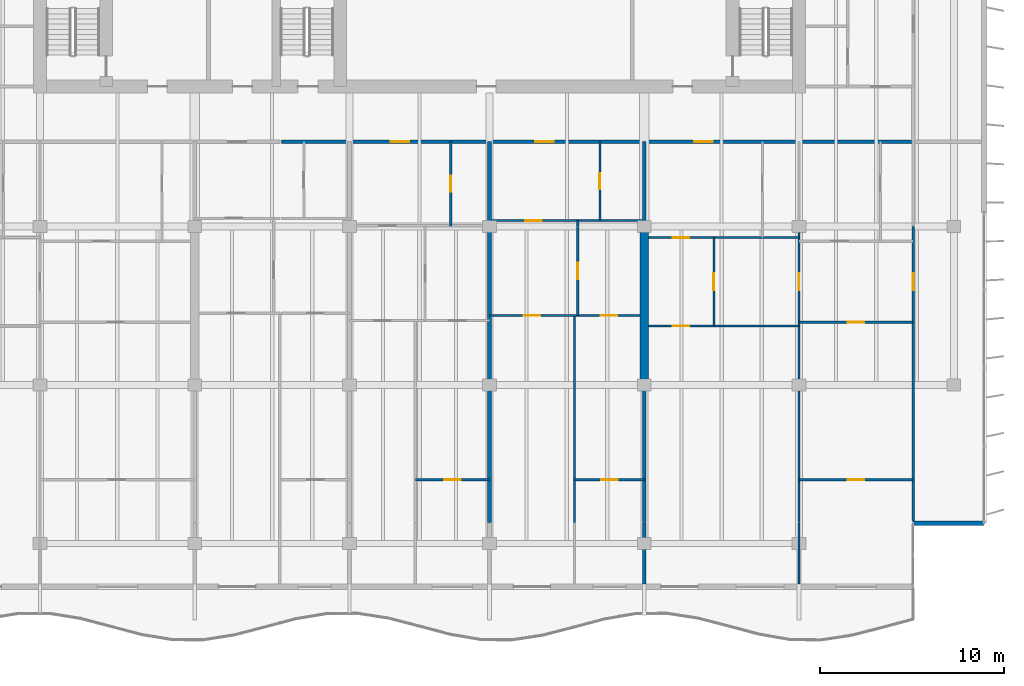
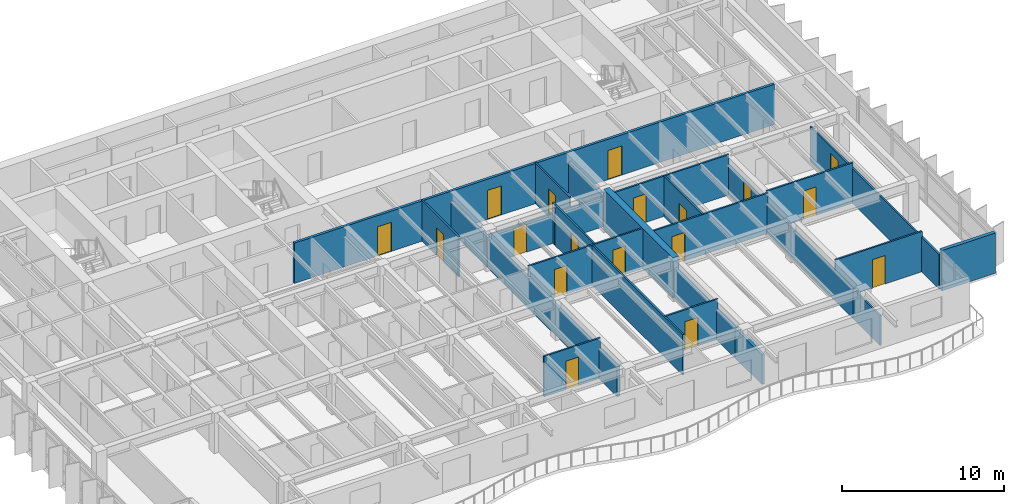
# One storey, part 8 of 16: 25 walls, 18 doors, 18 openings.
"""IFC4 building model written with IfcOpenShell, lengths in metres."""

from ifc_helpers import new_model, si_unit, direction, frame, frame_2d, origin, place, context, subcontext, project, spatial, rectangle, extrude, material, layer, layer_set, type_object, element, fill, save


model = new_model("IFC4")

# Units and contexts
model_context = context("Model", 3, precision=1e-05, world=origin(), true_north=direction((0.0, 1.0)))
body_context = subcontext(model_context, "Body", "Model", "MODEL_VIEW")
ifc_project = project(units=[si_unit("LENGTHUNIT", "METRE"), si_unit("AREAUNIT", "SQUARE_METRE"), si_unit("VOLUMEUNIT", "CUBIC_METRE"), si_unit("PLANEANGLEUNIT", "RADIAN"), si_unit("MASSUNIT", "GRAM", prefix="KILO")], contexts=[model_context])

# Site, building, storey
site_placement = place(None, origin())
site = spatial("IfcSite", under=ifc_project, at=site_placement, CompositionType="ELEMENT")
building_placement = place(site_placement, origin())
building = spatial("IfcBuilding", under=site, at=building_placement, Name="Caelmar Bay Residences", CompositionType="ELEMENT")
storey_placement = place(building_placement, frame((0.0, 0.0, 233.10009765625)))
storey = spatial("IfcBuildingStorey", under=building, at=storey_placement, Name="L65", CompositionType="ELEMENT", Elevation=233.10009765625)

# Wall
ifc_material_1 = material(Name="Concrete f'c 55 MPa (8,000 psi)", Category="concrete")
ifc_layer_1 = layer(ifc_material_1, 0.449951171875)
ifc_layer_set_1 = layer_set([ifc_layer_1], Name="Concrete f'c 55 MPa (8,000 psi)")
wall_type_1 = type_object("IfcWallType", Name="SW-XSLB-450", PredefinedType="SHEAR", material=ifc_layer_set_1)
wall_1_placement = place(storey_placement, frame((51.10009765625, 20.800048828125, 0.0), z_axis=(0.0, 0.0, 1.0), x_axis=(0.0, 1.0, 0.0)))
element("IfcWall", 1, at=wall_1_placement, inside=storey, type_object=wall_type_1, Name="L65 Transverse Cross-Slab Shear Wall E8", PredefinedType="SHEAR", context=body_context, shape_type="SweptSolid", body=[
    extrude(rectangle(XDim=8.599853515625, YDim=0.449951171875, at=frame_2d((4.2998046875, 0.0))), origin(), (0.0, 0.0, 1.0), 3.0498046875),
])

# Wall, openings, doors
ifc_material_2 = material(Name="Double-stud acoustic fire-rated gypsum partition 180 mm")
ifc_layer_2 = layer(ifc_material_2, 0.179931640625)
ifc_layer_set_2 = layer_set([ifc_layer_2], Name="Double-stud acoustic fire-rated gypsum partition 180 mm")
wall_type_2 = type_object("IfcWallType", Name="W-COR-200", PredefinedType="PARTITIONING", material=ifc_layer_set_2)
wall_2_placement = place(storey_placement, frame((31.39990234375, 34.0, 0.0), z_axis=(0.0, 0.0, 1.0), x_axis=(1.0, 0.0, 0.0)))
wall_2 = element("IfcWall", 2, at=wall_2_placement, inside=storey, type_object=wall_type_2, Name="L65 Partition Wall H091", PredefinedType="PARTITIONING", context=body_context, shape_type="SweptSolid", body=[
    extrude(rectangle(XDim=34.300048828125, YDim=0.179931640625, at=frame_2d((17.14990234375, 0.0))), origin(), (0.0, 0.0, 1.0), 3.0498046875),
])
opening_1_placement = place(wall_2_placement, frame((5.947509765625, 0.0, 0.0)))
opening_1 = element("IfcOpeningElement", 3, at=opening_1_placement, cuts=wall_2, Name="Opening D-L65-140", PredefinedType="OPENING", context=body_context, shape_type="SweptSolid", body=[
    extrude(rectangle(XDim=1.0, YDim=2.199951171875, at=frame_2d((0.5, 1.10009765625))), frame((0.0, 0.099853515625, 0.0), z_axis=(0.0, -1.0, 0.0), x_axis=(1.0, 0.0, 0.0)), (0.0, 0.0, 1.0), 0.199951171875),
])
opening_2_placement = place(wall_2_placement, frame((13.79638671875, 0.0, 0.0)))
opening_2 = element("IfcOpeningElement", 4, at=opening_2_placement, cuts=wall_2, Name="Opening D-L65-147", PredefinedType="OPENING", context=body_context, shape_type="SweptSolid", body=[
    extrude(rectangle(XDim=1.0, YDim=2.199951171875, at=frame_2d((0.5, 1.10009765625))), frame((0.0, 0.099853515625, 0.0), z_axis=(0.0, -1.0, 0.0), x_axis=(1.0, 0.0, 0.0)), (0.0, 0.0, 1.0), 0.199951171875),
])
opening_3_placement = place(wall_2_placement, frame((22.409423828125, 0.0, 0.0)))
opening_3 = element("IfcOpeningElement", 5, at=opening_3_placement, cuts=wall_2, Name="Opening D-L65-154", PredefinedType="OPENING", context=body_context, shape_type="SweptSolid", body=[
    extrude(rectangle(XDim=1.0, YDim=2.199951171875, at=frame_2d((0.5, 1.10009765625))), frame((0.0, 0.099853515625, 0.0), z_axis=(0.0, -1.0, 0.0), x_axis=(1.0, 0.0, 0.0)), (0.0, 0.0, 1.0), 0.199951171875),
])
ifc_material_3 = material(Name="Fire-rated steel and walnut architectural door assembly", Category="steel")
ifc_layer_3 = layer(ifc_material_3, 0.050048828125)
ifc_layer_set_3 = layer_set([ifc_layer_3], Name="Fire-rated steel and walnut architectural door assembly")
door_type_1 = type_object("IfcDoorType", Name="D-UNIT-1000", OperationType="NOTDEFINED", PredefinedType="DOOR", material=ifc_layer_set_3)
door_1_placement = place(opening_1_placement, origin())
door_1 = element("IfcDoor", 6, at=door_1_placement, inside=storey, type_object=door_type_1, Name="L65 Residence 03 Apartment Hall Door", OperationType="SINGLE_SWING_LEFT", OverallHeight=2.199951171875, OverallWidth=1.0, PredefinedType="DOOR", context=body_context, shape_type="SweptSolid", body=[
    extrude(rectangle(XDim=1.0, YDim=2.199951171875, at=frame_2d((0.5, 1.10009765625))), frame((0.0, 0.02490234375, 0.0), z_axis=(0.0, -1.0, 0.0), x_axis=(1.0, 0.0, 0.0)), (0.0, 0.0, 1.0), 0.050048828125),
])
fill(opening_1, door_1)
door_2_placement = place(opening_2_placement, origin())
door_2 = element("IfcDoor", 7, at=door_2_placement, inside=storey, type_object=door_type_1, Name="L65 Residence 04 Apartment Hall Door", OperationType="SINGLE_SWING_RIGHT", OverallHeight=2.199951171875, OverallWidth=1.0, PredefinedType="DOOR", context=body_context, shape_type="SweptSolid", body=[
    extrude(rectangle(XDim=1.0, YDim=2.199951171875, at=frame_2d((0.5, 1.10009765625))), frame((0.0, 0.02490234375, 0.0), z_axis=(0.0, -1.0, 0.0), x_axis=(1.0, 0.0, 0.0)), (0.0, 0.0, 1.0), 0.050048828125),
])
fill(opening_2, door_2)
door_3_placement = place(opening_3_placement, origin())
door_3 = element("IfcDoor", 8, at=door_3_placement, inside=storey, type_object=door_type_1, Name="L65 Residence 05 Apartment Hall Door", OperationType="SINGLE_SWING_LEFT", OverallHeight=2.199951171875, OverallWidth=1.0, PredefinedType="DOOR", context=body_context, shape_type="SweptSolid", body=[
    extrude(rectangle(XDim=1.0, YDim=2.199951171875, at=frame_2d((0.5, 1.10009765625))), frame((0.0, 0.02490234375, 0.0), z_axis=(0.0, -1.0, 0.0), x_axis=(1.0, 0.0, 0.0)), (0.0, 0.0, 1.0), 0.050048828125),
])
fill(opening_3, door_3)

# Wall
ifc_material_4 = material(Name="Precast concrete f'c 40 MPa (6,000 psi)", Category="concrete")
ifc_layer_4 = layer(ifc_material_4, 0.25)
ifc_layer_set_4 = layer_set([ifc_layer_4], Name="Precast concrete f'c 40 MPa (6,000 psi)")
wall_type_3 = type_object("IfcWallType", Name="W-EXT-250", PredefinedType="ELEMENTEDWALL", material=ifc_layer_set_4)
wall_3_placement = place(storey_placement, frame((65.699951171875, 13.300048828125, 0.0), z_axis=(0.0, 0.0, 1.0), x_axis=(1.0, 0.0, 0.0)))
element("IfcWall", 9, at=wall_3_placement, inside=storey, type_object=wall_type_3, Name="L65 SE Notch Return Wall", PredefinedType="ELEMENTEDWALL", context=body_context, shape_type="SweptSolid", body=[
    extrude(rectangle(XDim=3.85009765625, YDim=0.25, at=frame_2d((1.925048828125, 0.0))), origin(), (0.0, 0.0, 1.0), 3.0498046875),
])

# Wall, opening, door
ifc_material_5 = material(Name="Acoustic metal-stud gypsum partition 120 mm")
ifc_layer_5 = layer(ifc_material_5, 0.1201171875)
ifc_layer_set_5 = layer_set([ifc_layer_5], Name="Acoustic metal-stud gypsum partition 120 mm")
wall_type_4 = type_object("IfcWallType", Name="W-PRT-120", PredefinedType="PARTITIONING", material=ifc_layer_set_5)
wall_4_placement = place(storey_placement, frame((40.594970703125, 29.43994140625, 0.0), z_axis=(0.0, 0.0, 1.0), x_axis=(0.0, 1.0, 0.0)))
wall_4 = element("IfcWall", 10, at=wall_4_placement, inside=storey, type_object=wall_type_4, Name="L65 Partition Wall V034", PredefinedType="PARTITIONING", context=body_context, shape_type="SweptSolid", body=[
    extrude(rectangle(XDim=4.56005859375, YDim=0.1201171875, at=frame_2d((2.280029296875, 0.0))), origin(), (0.0, 0.0, 1.0), 3.0498046875),
])
opening_4_placement = place(wall_4_placement, frame((1.85498046875, 0.0, 0.0)))
opening_4 = element("IfcOpeningElement", 11, at=opening_4_placement, cuts=wall_4, Name="Opening D-L65-141", PredefinedType="OPENING", context=body_context, shape_type="SweptSolid", body=[
    extrude(rectangle(XDim=0.85009765625, YDim=2.10009765625, at=frame_2d((0.425048828125, 1.050048828125))), frame((0.0, 0.070068359375, 0.0), z_axis=(0.0, -1.0, 0.0), x_axis=(1.0, 0.0, 0.0)), (0.0, 0.0, 1.0), 0.14013671875),
])
ifc_material_6 = material(Name="Solid walnut timber interior door leaf and frame", Category="wood")
ifc_layer_6 = layer(ifc_material_6, 0.050048828125)
ifc_layer_set_6 = layer_set([ifc_layer_6], Name="Solid walnut timber interior door leaf and frame")
door_type_2 = type_object("IfcDoorType", Name="D-BATH-850", OperationType="NOTDEFINED", PredefinedType="DOOR", material=ifc_layer_set_6)
door_4_placement = place(opening_4_placement, origin())
door_4 = element("IfcDoor", 12, at=door_4_placement, inside=storey, type_object=door_type_2, Name="L65 Residence 03 Bathroom Door", OperationType="SINGLE_SWING_RIGHT", OverallHeight=2.10009765625, OverallWidth=0.85009765625, PredefinedType="DOOR", context=body_context, shape_type="SweptSolid", body=[
    extrude(rectangle(XDim=0.85009765625, YDim=2.10009765625, at=frame_2d((0.425048828125, 1.050048828125))), frame((0.0, 0.02490234375, 0.0), z_axis=(0.0, -1.0, 0.0), x_axis=(1.0, 0.0, 0.0)), (0.0, 0.0, 1.0), 0.050048828125),
])
fill(opening_4, door_4)

# Wall
wall_5_placement = place(storey_placement, frame((47.320068359375, 13.340087890625, 0.0), z_axis=(0.0, 0.0, 1.0), x_axis=(0.0, 1.0, 0.0)))
element("IfcWall", 13, at=wall_5_placement, inside=storey, type_object=wall_type_4, Name="L65 Partition Wall V041", PredefinedType="PARTITIONING", context=body_context, shape_type="SweptSolid", body=[
    extrude(rectangle(XDim=11.22998046875, YDim=0.1201171875, at=frame_2d((5.614990234375, 0.0))), origin(), (0.0, 0.0, 1.0), 3.0498046875),
])

# Wall, opening, door
wall_6_placement = place(storey_placement, frame((47.486083984375, 24.574951171875, 0.0), z_axis=(0.0, 0.0, 1.0), x_axis=(0.0, 1.0, 0.0)))
wall_6 = element("IfcWall", 14, at=wall_6_placement, inside=storey, type_object=wall_type_4, Name="L65 Partition Wall V042", PredefinedType="PARTITIONING", context=body_context, shape_type="SweptSolid", body=[
    extrude(rectangle(XDim=4.824951171875, YDim=0.1201171875, at=frame_2d((2.41259765625, 0.0))), origin(), (0.0, 0.0, 1.0), 3.0498046875),
])
opening_5_placement = place(wall_6_placement, frame((1.96240234375, 0.0, 0.0)))
opening_5 = element("IfcOpeningElement", 15, at=opening_5_placement, cuts=wall_6, Name="Opening D-L65-150", PredefinedType="OPENING", context=body_context, shape_type="SweptSolid", body=[
    extrude(rectangle(XDim=0.89990234375, YDim=2.14990234375, at=frame_2d((0.449951171875, 1.074951171875))), frame((0.0, 0.070068359375, 0.0), z_axis=(0.0, -1.0, 0.0), x_axis=(1.0, 0.0, 0.0)), (0.0, 0.0, 1.0), 0.14013671875),
])
ifc_layer_7 = layer(ifc_material_6, 0.050048828125)
ifc_layer_set_7 = layer_set([ifc_layer_7], Name="Solid walnut timber interior door leaf and frame")
door_type_3 = type_object("IfcDoorType", Name="D-ROOM-900", OperationType="NOTDEFINED", PredefinedType="DOOR", material=ifc_layer_set_7)
door_5_placement = place(opening_5_placement, origin())
door_5 = element("IfcDoor", 16, at=door_5_placement, inside=storey, type_object=door_type_3, Name="L65 Residence 04 Home Office Door", OperationType="SINGLE_SWING_LEFT", OverallHeight=2.14990234375, OverallWidth=0.89990234375, PredefinedType="DOOR", context=body_context, shape_type="SweptSolid", body=[
    extrude(rectangle(XDim=0.89990234375, YDim=2.14990234375, at=frame_2d((0.449951171875, 1.074951171875))), frame((0.0, 0.02490234375, 0.0), z_axis=(0.0, -1.0, 0.0), x_axis=(1.0, 0.0, 0.0)), (0.0, 0.0, 1.0), 0.050048828125),
])
fill(opening_5, door_5)

# Wall
wall_7_placement = place(storey_placement, frame((47.486083984375, 29.43994140625, 0.0), z_axis=(0.0, 0.0, 1.0), x_axis=(0.0, 1.0, 0.0)))
element("IfcWall", 17, at=wall_7_placement, inside=storey, type_object=wall_type_4, Name="L65 Partition Wall V043", PredefinedType="PARTITIONING", context=body_context, shape_type="SweptSolid", body=[
    extrude(rectangle(XDim=0.280029296875, YDim=0.1201171875, at=frame_2d((0.14013671875, 0.0))), origin(), (0.0, 0.0, 1.0), 3.0498046875),
])

# Wall, opening, door
wall_8_placement = place(storey_placement, frame((48.693115234375, 29.719970703125, 0.0), z_axis=(0.0, 0.0, 1.0), x_axis=(0.0, 1.0, 0.0)))
wall_8 = element("IfcWall", 18, at=wall_8_placement, inside=storey, type_object=wall_type_4, Name="L65 Partition Wall V045", PredefinedType="PARTITIONING", context=body_context, shape_type="SweptSolid", body=[
    extrude(rectangle(XDim=4.280029296875, YDim=0.1201171875, at=frame_2d((2.14013671875, 0.0))), origin(), (0.0, 0.0, 1.0), 3.0498046875),
])
opening_6_placement = place(wall_8_placement, frame((1.715087890625, 0.0, 0.0)))
opening_6 = element("IfcOpeningElement", 19, at=opening_6_placement, cuts=wall_8, Name="Opening D-L65-148", PredefinedType="OPENING", context=body_context, shape_type="SweptSolid", body=[
    extrude(rectangle(XDim=0.85009765625, YDim=2.10009765625, at=frame_2d((0.425048828125, 1.050048828125))), frame((0.0, 0.070068359375, 0.0), z_axis=(0.0, -1.0, 0.0), x_axis=(1.0, 0.0, 0.0)), (0.0, 0.0, 1.0), 0.14013671875),
])
door_6_placement = place(opening_6_placement, origin())
door_6 = element("IfcDoor", 20, at=door_6_placement, inside=storey, type_object=door_type_2, Name="L65 Residence 04 Bathroom Door", OperationType="SINGLE_SWING_LEFT", OverallHeight=2.10009765625, OverallWidth=0.85009765625, PredefinedType="DOOR", context=body_context, shape_type="SweptSolid", body=[
    extrude(rectangle(XDim=0.85009765625, YDim=2.10009765625, at=frame_2d((0.425048828125, 1.050048828125))), frame((0.0, 0.02490234375, 0.0), z_axis=(0.0, -1.0, 0.0), x_axis=(1.0, 0.0, 0.0)), (0.0, 0.0, 1.0), 0.050048828125),
])
fill(opening_6, door_6)

wall_9_placement = place(storey_placement, frame((54.8798828125, 24.0, 0.0), z_axis=(0.0, 0.0, 1.0), x_axis=(0.0, 1.0, 0.0)))
wall_9 = element("IfcWall", 21, at=wall_9_placement, inside=storey, type_object=wall_type_4, Name="L65 Partition Wall V053", PredefinedType="PARTITIONING", context=body_context, shape_type="SweptSolid", body=[
    extrude(rectangle(XDim=4.800048828125, YDim=0.1201171875, at=frame_2d((2.39990234375, 0.0))), origin(), (0.0, 0.0, 1.0), 3.0498046875),
])
opening_7_placement = place(wall_9_placement, frame((1.949951171875, 0.0, 0.0)))
opening_7 = element("IfcOpeningElement", 22, at=opening_7_placement, cuts=wall_9, Name="Opening D-L65-157", PredefinedType="OPENING", context=body_context, shape_type="SweptSolid", body=[
    extrude(rectangle(XDim=0.89990234375, YDim=2.14990234375, at=frame_2d((0.449951171875, 1.074951171875))), frame((0.0, 0.070068359375, 0.0), z_axis=(0.0, -1.0, 0.0), x_axis=(1.0, 0.0, 0.0)), (0.0, 0.0, 1.0), 0.14013671875),
])
door_7_placement = place(opening_7_placement, origin())
door_7 = element("IfcDoor", 23, at=door_7_placement, inside=storey, type_object=door_type_3, Name="L65 Residence 05 Kitchen Door", OperationType="SINGLE_SWING_RIGHT", OverallHeight=2.14990234375, OverallWidth=0.89990234375, PredefinedType="DOOR", context=body_context, shape_type="SweptSolid", body=[
    extrude(rectangle(XDim=0.89990234375, YDim=2.14990234375, at=frame_2d((0.449951171875, 1.074951171875))), frame((0.0, 0.02490234375, 0.0), z_axis=(0.0, -1.0, 0.0), x_axis=(1.0, 0.0, 0.0)), (0.0, 0.0, 1.0), 0.050048828125),
])
fill(opening_7, door_7)

# Wall
wall_10_placement = place(storey_placement, frame((59.5, 9.9951171875, 0.0), z_axis=(0.0, 0.0, 1.0), x_axis=(0.0, 1.0, 0.0)))
element("IfcWall", 24, at=wall_10_placement, inside=storey, type_object=wall_type_4, Name="L65 Partition Wall V057", PredefinedType="PARTITIONING", context=body_context, shape_type="SweptSolid", body=[
    extrude(rectangle(XDim=3.304931640625, YDim=0.1201171875, at=frame_2d((1.65234375, 0.0))), origin(), (0.0, 0.0, 1.0), 2.262939453125),
])

# Wall, opening, door
wall_11_placement = place(storey_placement, frame((59.5, 13.340087890625, 0.0), z_axis=(0.0, 0.0, 1.0), x_axis=(0.0, 1.0, 0.0)))
wall_11 = element("IfcWall", 25, at=wall_11_placement, inside=storey, type_object=wall_type_4, Name="L65 Partition Wall V058", PredefinedType="PARTITIONING", context=body_context, shape_type="SweptSolid", body=[
    extrude(rectangle(XDim=16.059814453125, YDim=0.1201171875, at=frame_2d((8.02978515625, 0.0))), origin(), (0.0, 0.0, 1.0), 2.262939453125),
])
opening_8_placement = place(wall_11_placement, frame((12.610107421875, 0.0, 0.0)))
opening_8 = element("IfcOpeningElement", 26, at=opening_8_placement, cuts=wall_11, Name="Opening D-L65-159", PredefinedType="OPENING", context=body_context, shape_type="SweptSolid", body=[
    extrude(rectangle(XDim=0.89990234375, YDim=2.14990234375, at=frame_2d((0.449951171875, 1.074951171875))), frame((0.0, 0.070068359375, 0.0), z_axis=(0.0, -1.0, 0.0), x_axis=(1.0, 0.0, 0.0)), (0.0, 0.0, 1.0), 0.14013671875),
])
door_8_placement = place(opening_8_placement, origin())
door_8 = element("IfcDoor", 27, at=door_8_placement, inside=storey, type_object=door_type_3, Name="L65 Residence 05 Library Study 1 Door", OperationType="SINGLE_SWING_RIGHT", OverallHeight=2.14990234375, OverallWidth=0.89990234375, PredefinedType="DOOR", context=body_context, shape_type="SweptSolid", body=[
    extrude(rectangle(XDim=0.89990234375, YDim=2.14990234375, at=frame_2d((0.449951171875, 1.074951171875))), frame((0.0, 0.02490234375, 0.0), z_axis=(0.0, -1.0, 0.0), x_axis=(1.0, 0.0, 0.0)), (0.0, 0.0, 1.0), 0.050048828125),
])
fill(opening_8, door_8)

wall_12_placement = place(storey_placement, frame((65.699951171875, 13.419921875, 0.0), z_axis=(0.0, 0.0, 1.0), x_axis=(0.0, 1.0, 0.0)))
wall_12 = element("IfcWall", 28, at=wall_12_placement, inside=storey, type_object=wall_type_4, Name="L65 Partition Wall V063", PredefinedType="PARTITIONING", context=body_context, shape_type="SweptSolid", body=[
    extrude(rectangle(XDim=15.97998046875, YDim=0.1201171875, at=frame_2d((7.989990234375, 0.0))), origin(), (0.0, 0.0, 1.0), 2.62890625),
])
opening_9_placement = place(wall_12_placement, frame((12.530029296875, 0.0, 0.0)))
opening_9 = element("IfcOpeningElement", 29, at=opening_9_placement, cuts=wall_12, Name="Opening D-L65-165", PredefinedType="OPENING", context=body_context, shape_type="SweptSolid", body=[
    extrude(rectangle(XDim=0.89990234375, YDim=2.14990234375, at=frame_2d((0.449951171875, 1.074951171875))), frame((0.0, 0.070068359375, 0.0), z_axis=(0.0, -1.0, 0.0), x_axis=(1.0, 0.0, 0.0)), (0.0, 0.0, 1.0), 0.14013671875),
])
door_9_placement = place(opening_9_placement, origin())
door_9 = element("IfcDoor", 30, at=door_9_placement, inside=storey, type_object=door_type_3, Name="L65 Residence 05 Penthouse East Salon Door", OperationType="SINGLE_SWING_RIGHT", OverallHeight=2.14990234375, OverallWidth=0.89990234375, PredefinedType="DOOR", context=body_context, shape_type="SweptSolid", body=[
    extrude(rectangle(XDim=0.89990234375, YDim=2.14990234375, at=frame_2d((0.449951171875, 1.074951171875))), frame((0.0, 0.02490234375, 0.0), z_axis=(0.0, -1.0, 0.0), x_axis=(1.0, 0.0, 0.0)), (0.0, 0.0, 1.0), 0.050048828125),
])
fill(opening_9, door_9)

wall_13_placement = place(storey_placement, frame((38.672119140625, 15.64990234375, 0.0), z_axis=(0.0, 0.0, 1.0), x_axis=(1.0, 0.0, 0.0)))
wall_13 = element("IfcWall", 31, at=wall_13_placement, inside=storey, type_object=wall_type_4, Name="L65 Partition Wall H069", PredefinedType="PARTITIONING", context=body_context, shape_type="SweptSolid", body=[
    extrude(rectangle(XDim=4.02783203125, YDim=0.1201171875, at=frame_2d((2.013916015625, 0.0))), origin(), (0.0, 0.0, 1.0), 3.0498046875),
])
opening_10_placement = place(wall_13_placement, frame((1.56396484375, 0.0, 0.0)))
opening_10 = element("IfcOpeningElement", 32, at=opening_10_placement, cuts=wall_13, Name="Opening D-L65-146", PredefinedType="OPENING", context=body_context, shape_type="SweptSolid", body=[
    extrude(rectangle(XDim=0.89990234375, YDim=2.14990234375, at=frame_2d((0.449951171875, 1.074951171875))), frame((0.0, 0.070068359375, 0.0), z_axis=(0.0, -1.0, 0.0), x_axis=(1.0, 0.0, 0.0)), (0.0, 0.0, 1.0), 0.14013671875),
])
door_10_placement = place(opening_10_placement, origin())
door_10 = element("IfcDoor", 33, at=door_10_placement, inside=storey, type_object=door_type_3, Name="L65 Residence 03 Primary Bedroom Door", OperationType="SINGLE_SWING_LEFT", OverallHeight=2.14990234375, OverallWidth=0.89990234375, PredefinedType="DOOR", context=body_context, shape_type="SweptSolid", body=[
    extrude(rectangle(XDim=0.89990234375, YDim=2.14990234375, at=frame_2d((0.449951171875, 1.074951171875))), frame((0.0, 0.02490234375, 0.0), z_axis=(0.0, -1.0, 0.0), x_axis=(1.0, 0.0, 0.0)), (0.0, 0.0, 1.0), 0.050048828125),
])
fill(opening_10, door_10)

wall_14_placement = place(storey_placement, frame((47.320068359375, 15.64990234375, 0.0), z_axis=(0.0, 0.0, 1.0), x_axis=(1.0, 0.0, 0.0)))
wall_14 = element("IfcWall", 34, at=wall_14_placement, inside=storey, type_object=wall_type_4, Name="L65 Partition Wall H070", PredefinedType="PARTITIONING", context=body_context, shape_type="SweptSolid", body=[
    extrude(rectangle(XDim=3.780029296875, YDim=0.1201171875, at=frame_2d((1.89013671875, 0.0))), origin(), (0.0, 0.0, 1.0), 3.0498046875),
])
opening_11_placement = place(wall_14_placement, frame((1.43994140625, 0.0, 0.0)))
opening_11 = element("IfcOpeningElement", 35, at=opening_11_placement, cuts=wall_14, Name="Opening D-L65-153", PredefinedType="OPENING", context=body_context, shape_type="SweptSolid", body=[
    extrude(rectangle(XDim=0.89990234375, YDim=2.14990234375, at=frame_2d((0.449951171875, 1.074951171875))), frame((0.0, 0.070068359375, 0.0), z_axis=(0.0, -1.0, 0.0), x_axis=(1.0, 0.0, 0.0)), (0.0, 0.0, 1.0), 0.14013671875),
])
door_11_placement = place(opening_11_placement, origin())
door_11 = element("IfcDoor", 36, at=door_11_placement, inside=storey, type_object=door_type_3, Name="L65 Residence 04 Primary Bedroom Door", OperationType="SINGLE_SWING_RIGHT", OverallHeight=2.14990234375, OverallWidth=0.89990234375, PredefinedType="DOOR", context=body_context, shape_type="SweptSolid", body=[
    extrude(rectangle(XDim=0.89990234375, YDim=2.14990234375, at=frame_2d((0.449951171875, 1.074951171875))), frame((0.0, 0.02490234375, 0.0), z_axis=(0.0, -1.0, 0.0), x_axis=(1.0, 0.0, 0.0)), (0.0, 0.0, 1.0), 0.050048828125),
])
fill(opening_11, door_11)

wall_15_placement = place(storey_placement, frame((59.5, 15.64990234375, 0.0), z_axis=(0.0, 0.0, 1.0), x_axis=(1.0, 0.0, 0.0)))
wall_15 = element("IfcWall", 37, at=wall_15_placement, inside=storey, type_object=wall_type_4, Name="L65 Partition Wall H071", PredefinedType="PARTITIONING", context=body_context, shape_type="SweptSolid", body=[
    extrude(rectangle(XDim=6.199951171875, YDim=0.1201171875, at=frame_2d((3.10009765625, 0.0))), origin(), (0.0, 0.0, 1.0), 3.0498046875),
])
opening_12_placement = place(wall_15_placement, frame((2.64990234375, 0.0, 0.0)))
opening_12 = element("IfcOpeningElement", 38, at=opening_12_placement, cuts=wall_15, Name="Opening D-L65-163", PredefinedType="OPENING", context=body_context, shape_type="SweptSolid", body=[
    extrude(rectangle(XDim=0.89990234375, YDim=2.14990234375, at=frame_2d((0.449951171875, 1.074951171875))), frame((0.0, 0.070068359375, 0.0), z_axis=(0.0, -1.0, 0.0), x_axis=(1.0, 0.0, 0.0)), (0.0, 0.0, 1.0), 0.14013671875),
])
door_12_placement = place(opening_12_placement, origin())
door_12 = element("IfcDoor", 39, at=door_12_placement, inside=storey, type_object=door_type_3, Name="L65 Residence 05 Primary Bedroom 1 Door", OperationType="SINGLE_SWING_RIGHT", OverallHeight=2.14990234375, OverallWidth=0.89990234375, PredefinedType="DOOR", context=body_context, shape_type="SweptSolid", body=[
    extrude(rectangle(XDim=0.89990234375, YDim=2.14990234375, at=frame_2d((0.449951171875, 1.074951171875))), frame((0.0, 0.02490234375, 0.0), z_axis=(0.0, -1.0, 0.0), x_axis=(1.0, 0.0, 0.0)), (0.0, 0.0, 1.0), 0.050048828125),
])
fill(opening_12, door_12)

wall_16_placement = place(storey_placement, frame((51.320068359375, 24.0, 0.0), z_axis=(0.0, 0.0, 1.0), x_axis=(1.0, 0.0, 0.0)))
wall_16 = element("IfcWall", 40, at=wall_16_placement, inside=storey, type_object=wall_type_4, Name="L65 Partition Wall H073", PredefinedType="PARTITIONING", context=body_context, shape_type="SweptSolid", body=[
    extrude(rectangle(XDim=8.179931640625, YDim=0.1201171875, at=frame_2d((4.08984375, 0.0))), origin(), (0.0, 0.0, 1.0), 3.0498046875),
])
opening_13_placement = place(wall_16_placement, frame((1.330078125, 0.0, 0.0)))
opening_13 = element("IfcOpeningElement", 41, at=opening_13_placement, cuts=wall_16, Name="Opening D-L65-158", PredefinedType="OPENING", context=body_context, shape_type="SweptSolid", body=[
    extrude(rectangle(XDim=0.89990234375, YDim=2.14990234375, at=frame_2d((0.449951171875, 1.074951171875))), frame((0.0, 0.070068359375, 0.0), z_axis=(0.0, -1.0, 0.0), x_axis=(1.0, 0.0, 0.0)), (0.0, 0.0, 1.0), 0.14013671875),
])
door_13_placement = place(opening_13_placement, origin())
door_13 = element("IfcDoor", 42, at=door_13_placement, inside=storey, type_object=door_type_3, Name="L65 Residence 05 Penthouse Living Salon Door", OperationType="SINGLE_SWING_LEFT", OverallHeight=2.14990234375, OverallWidth=0.89990234375, PredefinedType="DOOR", context=body_context, shape_type="SweptSolid", body=[
    extrude(rectangle(XDim=0.89990234375, YDim=2.14990234375, at=frame_2d((0.449951171875, 1.074951171875))), frame((0.0, 0.02490234375, 0.0), z_axis=(0.0, -1.0, 0.0), x_axis=(1.0, 0.0, 0.0)), (0.0, 0.0, 1.0), 0.050048828125),
])
fill(opening_13, door_13)

wall_17_placement = place(storey_placement, frame((59.5048828125, 24.199951171875, 0.0), z_axis=(0.0, 0.0, 1.0), x_axis=(1.0, 0.0, 0.0)))
wall_17 = element("IfcWall", 43, at=wall_17_placement, inside=storey, type_object=wall_type_4, Name="L65 Partition Wall H075", PredefinedType="PARTITIONING", context=body_context, shape_type="SweptSolid", body=[
    extrude(rectangle(XDim=6.195068359375, YDim=0.1201171875, at=frame_2d((3.09765625, 0.0))), origin(), (0.0, 0.0, 1.0), 3.0498046875),
])
opening_14_placement = place(wall_17_placement, frame((2.6474609375, 0.0, 0.0)))
opening_14 = element("IfcOpeningElement", 44, at=opening_14_placement, cuts=wall_17, Name="Opening D-L65-162", PredefinedType="OPENING", context=body_context, shape_type="SweptSolid", body=[
    extrude(rectangle(XDim=0.89990234375, YDim=2.14990234375, at=frame_2d((0.449951171875, 1.074951171875))), frame((0.0, 0.070068359375, 0.0), z_axis=(0.0, -1.0, 0.0), x_axis=(1.0, 0.0, 0.0)), (0.0, 0.0, 1.0), 0.14013671875),
])
door_14_placement = place(opening_14_placement, origin())
door_14 = element("IfcDoor", 45, at=door_14_placement, inside=storey, type_object=door_type_3, Name="L65 Residence 05 Penthouse Sitting Salon 1 Door", OperationType="SINGLE_SWING_LEFT", OverallHeight=2.14990234375, OverallWidth=0.89990234375, PredefinedType="DOOR", context=body_context, shape_type="SweptSolid", body=[
    extrude(rectangle(XDim=0.89990234375, YDim=2.14990234375, at=frame_2d((0.449951171875, 1.074951171875))), frame((0.0, 0.02490234375, 0.0), z_axis=(0.0, -1.0, 0.0), x_axis=(1.0, 0.0, 0.0)), (0.0, 0.0, 1.0), 0.050048828125),
])
fill(opening_14, door_14)

# Wall, openings, doors
wall_18_placement = place(storey_placement, frame((42.699951171875, 24.570068359375, 0.0), z_axis=(0.0, 0.0, 1.0), x_axis=(1.0, 0.0, 0.0)))
wall_18 = element("IfcWall", 46, at=wall_18_placement, inside=storey, type_object=wall_type_4, Name="L65 Partition Wall H077", PredefinedType="PARTITIONING", context=body_context, shape_type="SweptSolid", body=[
    extrude(rectangle(XDim=8.179931640625, YDim=0.1201171875, at=frame_2d((4.08984375, 0.0))), origin(), (0.0, 0.0, 1.0), 3.0498046875),
])
opening_15_placement = place(wall_18_placement, frame((1.860107421875, 0.0, 0.0)))
opening_15 = element("IfcOpeningElement", 47, at=opening_15_placement, cuts=wall_18, Name="Opening D-L65-151", PredefinedType="OPENING", context=body_context, shape_type="SweptSolid", body=[
    extrude(rectangle(XDim=0.89990234375, YDim=2.14990234375, at=frame_2d((0.449951171875, 1.074951171875))), frame((0.0, 0.070068359375, 0.0), z_axis=(0.0, -1.0, 0.0), x_axis=(1.0, 0.0, 0.0)), (0.0, 0.0, 1.0), 0.14013671875),
])
opening_16_placement = place(wall_18_placement, frame((6.032958984375, 0.0, 0.0)))
opening_16 = element("IfcOpeningElement", 48, at=opening_16_placement, cuts=wall_18, Name="Opening D-L65-152", PredefinedType="OPENING", context=body_context, shape_type="SweptSolid", body=[
    extrude(rectangle(XDim=0.89990234375, YDim=2.14990234375, at=frame_2d((0.449951171875, 1.074951171875))), frame((0.0, 0.070068359375, 0.0), z_axis=(0.0, -1.0, 0.0), x_axis=(1.0, 0.0, 0.0)), (0.0, 0.0, 1.0), 0.14013671875),
])
door_15_placement = place(opening_15_placement, origin())
door_15 = element("IfcDoor", 49, at=door_15_placement, inside=storey, type_object=door_type_3, Name="L65 Residence 04 Living Room Door", OperationType="SINGLE_SWING_RIGHT", OverallHeight=2.14990234375, OverallWidth=0.89990234375, PredefinedType="DOOR", context=body_context, shape_type="SweptSolid", body=[
    extrude(rectangle(XDim=0.89990234375, YDim=2.14990234375, at=frame_2d((0.449951171875, 1.074951171875))), frame((0.0, 0.02490234375, 0.0), z_axis=(0.0, -1.0, 0.0), x_axis=(1.0, 0.0, 0.0)), (0.0, 0.0, 1.0), 0.050048828125),
])
fill(opening_15, door_15)
door_16_placement = place(opening_16_placement, origin())
door_16 = element("IfcDoor", 50, at=door_16_placement, inside=storey, type_object=door_type_3, Name="L65 Residence 04 Bedroom 2 Door", OperationType="SINGLE_SWING_LEFT", OverallHeight=2.14990234375, OverallWidth=0.89990234375, PredefinedType="DOOR", context=body_context, shape_type="SweptSolid", body=[
    extrude(rectangle(XDim=0.89990234375, YDim=2.14990234375, at=frame_2d((0.449951171875, 1.074951171875))), frame((0.0, 0.02490234375, 0.0), z_axis=(0.0, -1.0, 0.0), x_axis=(1.0, 0.0, 0.0)), (0.0, 0.0, 1.0), 0.050048828125),
])
fill(opening_16, door_16)

# Wall, opening, door
wall_19_placement = place(storey_placement, frame((51.320068359375, 28.800048828125, 0.0), z_axis=(0.0, 0.0, 1.0), x_axis=(1.0, 0.0, 0.0)))
wall_19 = element("IfcWall", 51, at=wall_19_placement, inside=storey, type_object=wall_type_4, Name="L65 Partition Wall H083", PredefinedType="PARTITIONING", context=body_context, shape_type="SweptSolid", body=[
    extrude(rectangle(XDim=8.175048828125, YDim=0.1201171875, at=frame_2d((4.08740234375, 0.0))), origin(), (0.0, 0.0, 1.0), 3.0498046875),
])
opening_17_placement = place(wall_19_placement, frame((1.330078125, 0.0, 0.0)))
opening_17 = element("IfcOpeningElement", 52, at=opening_17_placement, cuts=wall_19, Name="Opening D-L65-156", PredefinedType="OPENING", context=body_context, shape_type="SweptSolid", body=[
    extrude(rectangle(XDim=0.89990234375, YDim=2.14990234375, at=frame_2d((0.449951171875, 1.074951171875))), frame((0.0, 0.070068359375, 0.0), z_axis=(0.0, -1.0, 0.0), x_axis=(1.0, 0.0, 0.0)), (0.0, 0.0, 1.0), 0.14013671875),
])
door_17_placement = place(opening_17_placement, origin())
door_17 = element("IfcDoor", 53, at=door_17_placement, inside=storey, type_object=door_type_3, Name="L65 Residence 05 Dining Room Door", OperationType="SINGLE_SWING_LEFT", OverallHeight=2.14990234375, OverallWidth=0.89990234375, PredefinedType="DOOR", context=body_context, shape_type="SweptSolid", body=[
    extrude(rectangle(XDim=0.89990234375, YDim=2.14990234375, at=frame_2d((0.449951171875, 1.074951171875))), frame((0.0, 0.02490234375, 0.0), z_axis=(0.0, -1.0, 0.0), x_axis=(1.0, 0.0, 0.0)), (0.0, 0.0, 1.0), 0.050048828125),
])
fill(opening_17, door_17)

wall_20_placement = place(storey_placement, frame((42.699951171875, 29.719970703125, 0.0), z_axis=(0.0, 0.0, 1.0), x_axis=(1.0, 0.0, 0.0)))
wall_20 = element("IfcWall", 54, at=wall_20_placement, inside=storey, type_object=wall_type_4, Name="L65 Partition Wall H085", PredefinedType="PARTITIONING", context=body_context, shape_type="SweptSolid", body=[
    extrude(rectangle(XDim=8.400146484375, YDim=0.1201171875, at=frame_2d((4.2001953125, 0.0))), origin(), (0.0, 0.0, 1.0), 2.262939453125),
])
opening_18_placement = place(wall_20_placement, frame((1.943115234375, 0.0, 0.0)))
opening_18 = element("IfcOpeningElement", 55, at=opening_18_placement, cuts=wall_20, Name="Opening D-L65-149", PredefinedType="OPENING", context=body_context, shape_type="SweptSolid", body=[
    extrude(rectangle(XDim=0.89990234375, YDim=2.14990234375, at=frame_2d((0.449951171875, 1.074951171875))), frame((0.0, 0.070068359375, 0.0), z_axis=(0.0, -1.0, 0.0), x_axis=(1.0, 0.0, 0.0)), (0.0, 0.0, 1.0), 0.14013671875),
])
door_18_placement = place(opening_18_placement, origin())
door_18 = element("IfcDoor", 56, at=door_18_placement, inside=storey, type_object=door_type_3, Name="L65 Residence 04 Kitchen Door", OperationType="SINGLE_SWING_RIGHT", OverallHeight=2.14990234375, OverallWidth=0.89990234375, PredefinedType="DOOR", context=body_context, shape_type="SweptSolid", body=[
    extrude(rectangle(XDim=0.89990234375, YDim=2.14990234375, at=frame_2d((0.449951171875, 1.074951171875))), frame((0.0, 0.02490234375, 0.0), z_axis=(0.0, -1.0, 0.0), x_axis=(1.0, 0.0, 0.0)), (0.0, 0.0, 1.0), 0.050048828125),
])
fill(opening_18, door_18)

# Walls
ifc_material_7 = material(Name="Acoustic twin-stud fire-rated inter-tenancy partition 200 mm")
ifc_layer_8 = layer(ifc_material_7, 0.199951171875)
ifc_layer_set_8 = layer_set([ifc_layer_8], Name="Acoustic twin-stud fire-rated inter-tenancy partition 200 mm")
wall_type_5 = type_object("IfcWallType", Name="W-PTY-200", PredefinedType="PARTITIONING", material=ifc_layer_set_8)
wall_21_placement = place(storey_placement, frame((42.699951171875, 13.340087890625, 0.0), z_axis=(0.0, 0.0, 1.0), x_axis=(0.0, 1.0, 0.0)))
element("IfcWall", 57, at=wall_21_placement, inside=storey, type_object=wall_type_5, Name="L65 Partition Wall V037", PredefinedType="PARTITIONING", context=body_context, shape_type="SweptSolid", body=[
    extrude(rectangle(XDim=16.059814453125, YDim=0.199951171875, at=frame_2d((8.02978515625, 0.0))), origin(), (0.0, 0.0, 1.0), 2.262939453125),
])
wall_22_placement = place(storey_placement, frame((42.699951171875, 29.43994140625, 0.0), z_axis=(0.0, 0.0, 1.0), x_axis=(0.0, 1.0, 0.0)))
element("IfcWall", 58, at=wall_22_placement, inside=storey, type_object=wall_type_5, Name="L65 Partition Wall V038", PredefinedType="PARTITIONING", context=body_context, shape_type="SweptSolid", body=[
    extrude(rectangle(XDim=4.56005859375, YDim=0.199951171875, at=frame_2d((2.280029296875, 0.0))), origin(), (0.0, 0.0, 1.0), 2.262939453125),
])
wall_23_placement = place(storey_placement, frame((51.10009765625, 9.9951171875, 0.0), z_axis=(0.0, 0.0, 1.0), x_axis=(0.0, 1.0, 0.0)))
element("IfcWall", 59, at=wall_23_placement, inside=storey, type_object=wall_type_5, Name="L65 Partition Wall V048", PredefinedType="PARTITIONING", context=body_context, shape_type="SweptSolid", body=[
    extrude(rectangle(XDim=3.304931640625, YDim=0.199951171875, at=frame_2d((1.65234375, 0.0))), origin(), (0.0, 0.0, 1.0), 2.262939453125),
])
wall_24_placement = place(storey_placement, frame((51.10009765625, 13.340087890625, 0.0), z_axis=(0.0, 0.0, 1.0), x_axis=(0.0, 1.0, 0.0)))
element("IfcWall", 60, at=wall_24_placement, inside=storey, type_object=wall_type_5, Name="L65 Partition Wall V049", PredefinedType="PARTITIONING", context=body_context, shape_type="SweptSolid", body=[
    extrude(rectangle(XDim=7.454833984375, YDim=0.199951171875, at=frame_2d((3.7275390625, 0.0))), origin(), (0.0, 0.0, 1.0), 2.262939453125),
])
wall_25_placement = place(storey_placement, frame((51.10009765625, 29.43994140625, 0.0), z_axis=(0.0, 0.0, 1.0), x_axis=(0.0, 1.0, 0.0)))
element("IfcWall", 61, at=wall_25_placement, inside=storey, type_object=wall_type_5, Name="L65 Partition Wall V050", PredefinedType="PARTITIONING", context=body_context, shape_type="SweptSolid", body=[
    extrude(rectangle(XDim=4.56005859375, YDim=0.199951171875, at=frame_2d((2.280029296875, 0.0))), origin(), (0.0, 0.0, 1.0), 2.3349609375),
])

save(model, "model.ifc")
